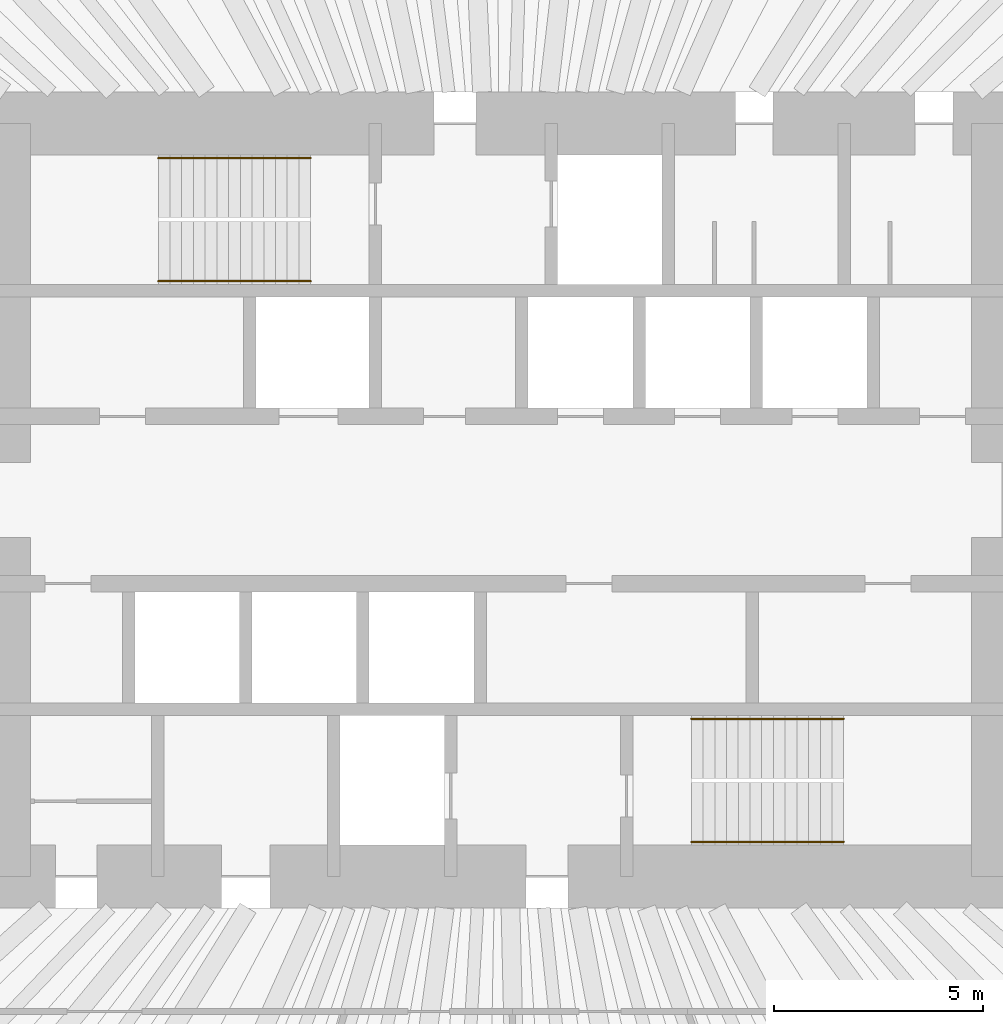
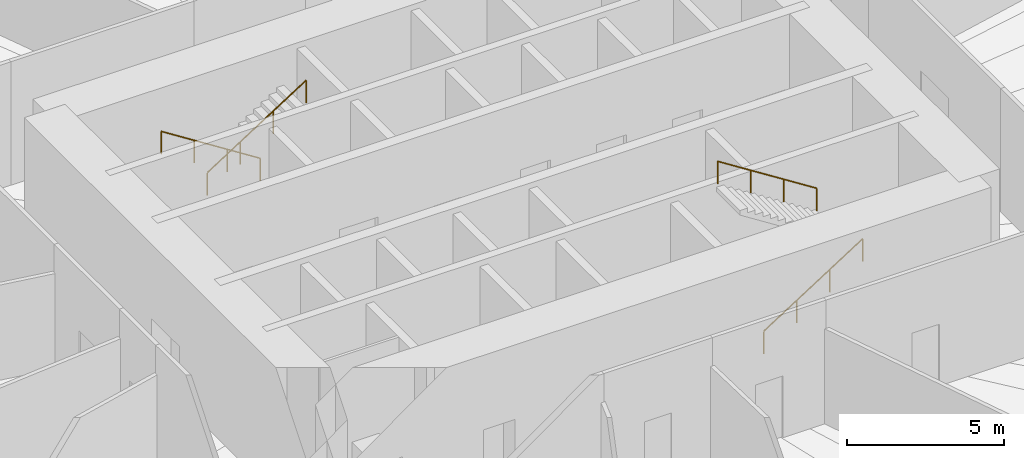
# One storey, part 13 of 13: 4 railings.
"""IFC4 building model written with IfcOpenShell, lengths in metres."""

from ifc_helpers import new_model, si_unit, direction, frame, origin, origin_2d, place, context, subcontext, project, spatial, circle, extrude, material, type_object, element, save


model = new_model("IFC4")

# Units and contexts
model_context = context("Model", 3, precision=1e-05, world=origin(), true_north=direction((0.0, 1.0)))
body_context = subcontext(model_context, "Body", "Model", "MODEL_VIEW")
ifc_project = project(units=[si_unit("LENGTHUNIT", "METRE"), si_unit("AREAUNIT", "SQUARE_METRE"), si_unit("VOLUMEUNIT", "CUBIC_METRE"), si_unit("PLANEANGLEUNIT", "RADIAN"), si_unit("MASSUNIT", "GRAM", prefix="KILO")], contexts=[model_context])

# Site, building, storey
site_placement = place(None, origin())
site = spatial("IfcSite", under=ifc_project, at=site_placement, CompositionType="ELEMENT")
building_placement = place(site_placement, origin())
building = spatial("IfcBuilding", under=site, at=building_placement, Name="Qingtian Harvest Tower", CompositionType="ELEMENT")
storey_placement = place(building_placement, frame((0.0, 0.0, 32.0)))
storey = spatial("IfcBuildingStorey", under=building, at=storey_placement, Name="L06", CompositionType="ELEMENT", Elevation=32.0)

# Railings
ifc_material = material(Name="Stainless steel handrail", Category="steel")
railing_type = type_object("IfcRailingType", Name="Handrail HR1", PredefinedType="HANDRAIL", material=ifc_material)
railing_1_placement = place(storey_placement, frame((-4.550048828125, 8.169921875, 0.178466796875)))
element("IfcRailing", 1, at=railing_1_placement, inside=storey, type_object=railing_type, Name="Handrail HR1 S1 flight 1", PredefinedType="HANDRAIL", context=body_context, shape_type="SweptSolid", body=[
    extrude(circle(Radius=0.02392578125, at=origin_2d()), frame((0.0, 0.0, 0.8759765625), z_axis=(-0.843111507901, 0.0, 0.53773877045), x_axis=(0.0, -1.0, 0.0)), (0.0, 0.0, 1.0), 4.317138671875),
    extrude(circle(Radius=0.02099609375, at=origin_2d()), origin(), (0.0, 0.0, 1.0), 0.851806640625),
    extrude(circle(Radius=0.02099609375, at=origin_2d()), frame((-1.21337890625, 0.0, 0.77392578125)), (0.0, 0.0, 1.0), 0.851806640625),
    extrude(circle(Radius=0.02099609375, at=origin_2d()), frame((-2.426513671875, 0.0, 1.547607421875)), (0.0, 0.0, 1.0), 0.851806640625),
    extrude(circle(Radius=0.02099609375, at=origin_2d()), frame((-3.639892578125, 0.0, 2.321533203125)), (0.0, 0.0, 1.0), 0.851806640625),
])
for number, where, name in (
    (2, (-8.18994140625, 5.22998046875, 2.678466796875), "Handrail HR1 S1 flight 2"),
    (3, (4.550048828125, -8.169921875, 0.178466796875), "Handrail HR1 S2 flight 1"),
):
    element("IfcRailing", number, at=place(storey_placement, frame(where)), inside=storey, type_object=railing_type, Name=name, PredefinedType="HANDRAIL", context=body_context, shape_type="SweptSolid", body=[
        extrude(circle(Radius=0.02392578125, at=origin_2d()), frame((0.0, 0.0, 0.8759765625), z_axis=(0.843111507901, 0.0, 0.53773877045), x_axis=(0.0, 1.0, 0.0)), (0.0, 0.0, 1.0), 4.317138671875),
        extrude(circle(Radius=0.02099609375, at=origin_2d()), origin(), (0.0, 0.0, 1.0), 0.851806640625),
        extrude(circle(Radius=0.02099609375, at=origin_2d()), frame((1.21337890625, 0.0, 0.77392578125)), (0.0, 0.0, 1.0), 0.851806640625),
        extrude(circle(Radius=0.02099609375, at=origin_2d()), frame((2.426513671875, 0.0, 1.547607421875)), (0.0, 0.0, 1.0), 0.851806640625),
        extrude(circle(Radius=0.02099609375, at=origin_2d()), frame((3.639892578125, 0.0, 2.321533203125)), (0.0, 0.0, 1.0), 0.851806640625),
    ])
railing_2_placement = place(storey_placement, frame((8.18994140625, -5.22998046875, 2.678466796875)))
element("IfcRailing", 4, at=railing_2_placement, inside=storey, type_object=railing_type, Name="Handrail HR1 S2 flight 2", PredefinedType="HANDRAIL", context=body_context, shape_type="SweptSolid", body=[
    extrude(circle(Radius=0.02392578125, at=origin_2d()), frame((0.0, 0.0, 0.8759765625), z_axis=(-0.843111507901, 0.0, 0.53773877045), x_axis=(0.0, -1.0, 0.0)), (0.0, 0.0, 1.0), 4.317138671875),
    extrude(circle(Radius=0.02099609375, at=origin_2d()), origin(), (0.0, 0.0, 1.0), 0.851806640625),
    extrude(circle(Radius=0.02099609375, at=origin_2d()), frame((-1.21337890625, 0.0, 0.77392578125)), (0.0, 0.0, 1.0), 0.851806640625),
    extrude(circle(Radius=0.02099609375, at=origin_2d()), frame((-2.426513671875, 0.0, 1.547607421875)), (0.0, 0.0, 1.0), 0.851806640625),
    extrude(circle(Radius=0.02099609375, at=origin_2d()), frame((-3.639892578125, 0.0, 2.321533203125)), (0.0, 0.0, 1.0), 0.851806640625),
])

save(model, "model.ifc")
